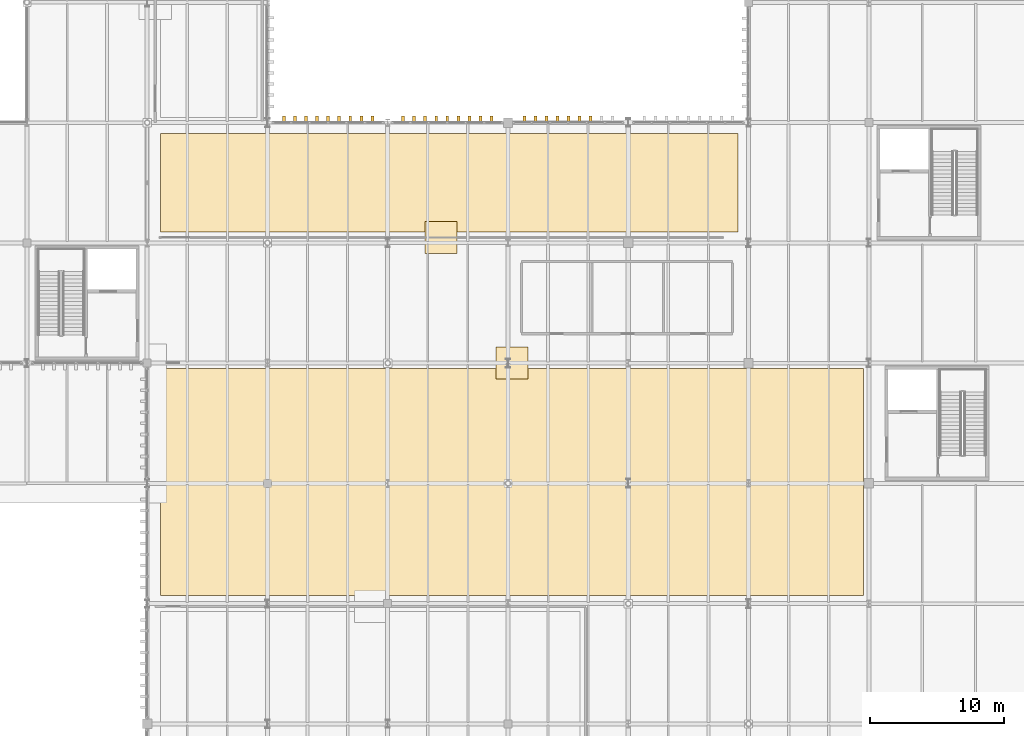
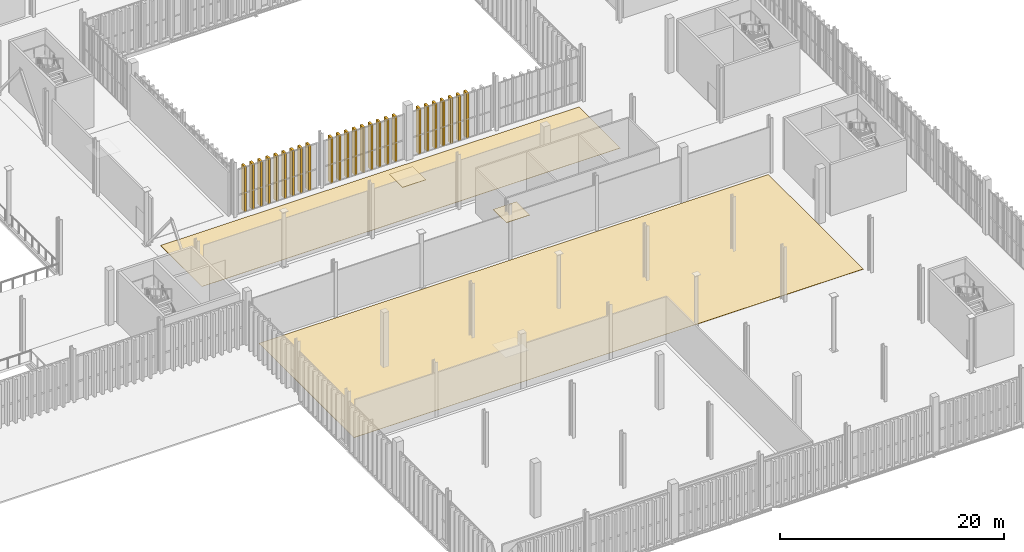
# One storey, part 201 of 211: 25 shading devices, 4 coverings.
"""IFC4 building model written with IfcOpenShell, lengths in metres."""

from ifc_helpers import new_model, si_unit, direction, frame, origin, origin_2d, place, context, subcontext, project, spatial, polyline, rectangle, outline, extrude, material, layer, layer_set, type_object, element, save


model = new_model("IFC4")

# Units and contexts
model_context = context("Model", 3, precision=1e-05, world=origin(), true_north=direction((0.0, 1.0)))
body_context = subcontext(model_context, "Body", "Model", "MODEL_VIEW")
ifc_project = project(units=[si_unit("LENGTHUNIT", "METRE"), si_unit("AREAUNIT", "SQUARE_METRE"), si_unit("VOLUMEUNIT", "CUBIC_METRE"), si_unit("PLANEANGLEUNIT", "RADIAN"), si_unit("MASSUNIT", "GRAM", prefix="KILO")], contexts=[model_context])

# Site, building, storey
site_placement = place(None, origin())
site = spatial("IfcSite", under=ifc_project, at=site_placement, CompositionType="ELEMENT")
building_placement = place(site_placement, origin())
building = spatial("IfcBuilding", under=site, at=building_placement, Name="Barlavento Convention Centre", CompositionType="ELEMENT")
storey_placement = place(building_placement, frame((0.0, 0.0, 6.0)))
storey = spatial("IfcBuildingStorey", under=building, at=storey_placement, Name="L01", CompositionType="ELEMENT", Elevation=6.0)

# Coverings
ifc_material_1 = material(Name="Perforated mineral-fibre acoustic board")
ifc_layer_1 = layer(ifc_material_1, 0.0400390625)
ifc_layer_set_1 = layer_set([ifc_layer_1], Name="ARC-COV-CEIL-ACOU")
covering_type_1 = type_object("IfcCoveringType", Name="ARC-COV-CEIL-ACOU", PredefinedType="CEILING", material=ifc_layer_set_1)
covering_1_placement = place(storey_placement, frame((0.0, 0.0, 4.85009765625)))
element("IfcCovering", 1, at=covering_1_placement, inside=storey, type_object=covering_type_1, Name="L01 acoustic ceiling panel", PredefinedType="CEILING", context=body_context, shape_type="SweptSolid", body=[
    extrude(outline(polyline([(152.10009765625, 43.800048828125), (154.5, 43.800048828125), (154.5, 46.199951171875), (152.10009765625, 46.199951171875), (152.10009765625, 43.800048828125)])), origin(), (0.0, 0.0, 1.0), 0.039794921875),
])
covering_2_placement = place(storey_placement, frame((0.0, 0.0, 4.85009765625)))
element("IfcCovering", 2, at=covering_2_placement, inside=storey, type_object=covering_type_1, Name="L01 acoustic ceiling panel", PredefinedType="CEILING", context=body_context, shape_type="SweptSolid", body=[
    extrude(outline(polyline([(146.800048828125, 53.199951171875), (149.199951171875, 53.199951171875), (149.199951171875, 55.60009765625), (146.800048828125, 55.60009765625), (146.800048828125, 53.199951171875)])), origin(), (0.0, 0.0, 1.0), 0.039794921875),
])
ifc_material_2 = material(Name="Honed granite concourse stone flooring", Category="masonry")
ifc_layer_2 = layer(ifc_material_2, 0.030029296875)
ifc_layer_set_2 = layer_set([ifc_layer_2], Name="ARC-COV-FLR-STONE")
covering_type_2 = type_object("IfcCoveringType", Name="ARC-COV-FLR-STONE", PredefinedType="FLOORING", material=ifc_layer_set_2)
covering_3_placement = place(storey_placement, origin())
element("IfcCovering", 3, at=covering_3_placement, inside=storey, type_object=covering_type_2, Name="L01 honed stone floor finish", PredefinedType="FLOORING", context=body_context, shape_type="SweptSolid", body=[
    extrude(outline(polyline([(179.60009765625, 27.60009765625), (127.0, 27.60009765625), (127.0, 44.60009765625), (179.60009765625, 44.60009765625), (179.60009765625, 27.60009765625)])), origin(), (0.0, 0.0, 1.0), 0.030029296875),
])
covering_4_placement = place(storey_placement, origin())
element("IfcCovering", 4, at=covering_4_placement, inside=storey, type_object=covering_type_2, Name="L01 honed stone floor finish", PredefinedType="FLOORING", context=body_context, shape_type="SweptSolid", body=[
    extrude(outline(polyline([(170.199951171875, 54.800048828125), (127.0, 54.800048828125), (127.0, 62.199951171875), (170.199951171875, 62.199951171875), (170.199951171875, 54.800048828125)])), origin(), (0.0, 0.0, 1.0), 0.030029296875),
])

# Shading devices
ifc_material_3 = material(Name="PVDF white extruded aluminium", Category="aluminium")
shading_device_type = type_object("IfcShadingDeviceType", Name="ARC-SHD-FIN-480", PredefinedType="USERDEFINED", material=ifc_material_3)
for number, where, z_axis, x_axis, name in (
    (5, (136.222412109375, 63.239990234375, 0.0), (0.0, 0.0, 1.0), (1.0, 0.0, 0.0), "White vertical solar shading fin VF01"),
    (6, (137.05078125, 63.239990234375, 0.0), (0.0, 0.0, 1.0), (1.0, 0.0, 0.0), "White vertical solar shading fin VF01"),
    (7, (137.879150390625, 63.239990234375, 0.0), (0.0, 0.0, 1.0), (1.0, 0.0, 0.0), "White vertical solar shading fin VF01"),
    (8, (138.70751953125, 63.239990234375, 0.0), (0.0, 0.0, 1.0), (1.0, 0.0, 0.0), "White vertical solar shading fin VF01"),
    (9, (139.535888671875, 63.239990234375, 0.0), (0.0, 0.0, 1.0), (1.0, 0.0, 0.0), "White vertical solar shading fin VF01"),
    (10, (140.364501953125, 63.239990234375, 0.0), (0.0, 0.0, 1.0), (1.0, 0.0, 0.0), "White vertical solar shading fin VF01"),
    (11, (141.19287109375, 63.239990234375, 0.0), (0.0, 0.0, 1.0), (1.0, 0.0, 0.0), "White vertical solar shading fin VF01"),
    (12, (142.021240234375, 63.239990234375, 0.0), (0.0, 0.0, 1.0), (1.0, 0.0, 0.0), "White vertical solar shading fin VF01"),
    (13, (142.849609375, 63.239990234375, 0.0), (0.0, 0.0, 1.0), (1.0, 0.0, 0.0), "White vertical solar shading fin VF01"),
    (14, (145.148681640625, 63.239990234375, 0.0), (0.0, 0.0, 1.0), (1.0, 0.0, 0.0), "White vertical solar shading fin VF01"),
    (15, (145.9755859375, 63.239990234375, 0.0), (0.0, 0.0, 1.0), (1.0, 0.0, 0.0), "White vertical solar shading fin VF01"),
    (16, (146.802490234375, 63.239990234375, 0.0), (0.0, 0.0, 1.0), (1.0, 0.0, 0.0), "White vertical solar shading fin VF01"),
    (17, (147.629150390625, 63.239990234375, 0.0), (0.0, 0.0, 1.0), (1.0, 0.0, 0.0), "White vertical solar shading fin VF01"),
    (18, (148.4560546875, 63.239990234375, 0.0), (0.0, 0.0, 1.0), (1.0, 0.0, 0.0), "White vertical solar shading fin VF01"),
    (19, (149.28271484375, 63.239990234375, 0.0), (0.0, 0.0, 1.0), (1.0, 0.0, 0.0), "White vertical solar shading fin VF01"),
    (20, (150.109619140625, 63.239990234375, 0.0), (0.0, 0.0, 1.0), (1.0, 0.0, 0.0), "White vertical solar shading fin VF01"),
    (21, (150.936279296875, 63.239990234375, 0.0), (0.0, 0.0, 1.0), (1.0, 0.0, 0.0), "White vertical solar shading fin VF01"),
    (22, (151.76318359375, 63.239990234375, 0.0), (0.0, 0.0, 1.0), (1.0, 0.0, 0.0), "White vertical solar shading fin VF01"),
    (23, (154.23193359375, 63.239990234375, 0.0), (0.0, 0.0, 1.0), (1.0, 0.0, 0.0), "White vertical solar shading fin VF01"),
    (24, (155.053955078125, 63.239990234375, 0.0), (0.0, 0.0, 1.0), (1.0, 0.0, 0.0), "White vertical solar shading fin VF01"),
    (25, (155.8759765625, 63.239990234375, 0.0), (0.0, 0.0, 1.0), (1.0, 0.0, 0.0), "White vertical solar shading fin VF01"),
    (26, (156.697998046875, 63.239990234375, 0.0), (0.0, 0.0, 1.0), (1.0, 0.0, 0.0), "White vertical solar shading fin VF01"),
    (27, (157.52001953125, 63.239990234375, 0.0), (0.0, 0.0, 1.0), (1.0, 0.0, 0.0), "White vertical solar shading fin VF01"),
    (28, (158.342041015625, 63.239990234375, 0.0), (0.0, 0.0, 1.0), (1.0, 0.0, 0.0), "White vertical solar shading fin VF01"),
    (29, (159.1640625, 63.239990234375, 0.0), (0.0, 0.0, 1.0), (1.0, 0.0, 0.0), "White vertical solar shading fin VF01"),
):
    element("IfcShadingDevice", number, at=place(storey_placement, frame(where, z_axis=z_axis, x_axis=x_axis)), inside=storey, type_object=shading_device_type, Name=name, ObjectType="FIN", PredefinedType="USERDEFINED", context=body_context, shape_type="SweptSolid", body=[
        extrude(rectangle(XDim=0.219970703125, YDim=0.52001953125, at=origin_2d()), origin(), (0.0, 0.0, 1.0), 4.949951171875),
    ])

save(model, "model.ifc")
